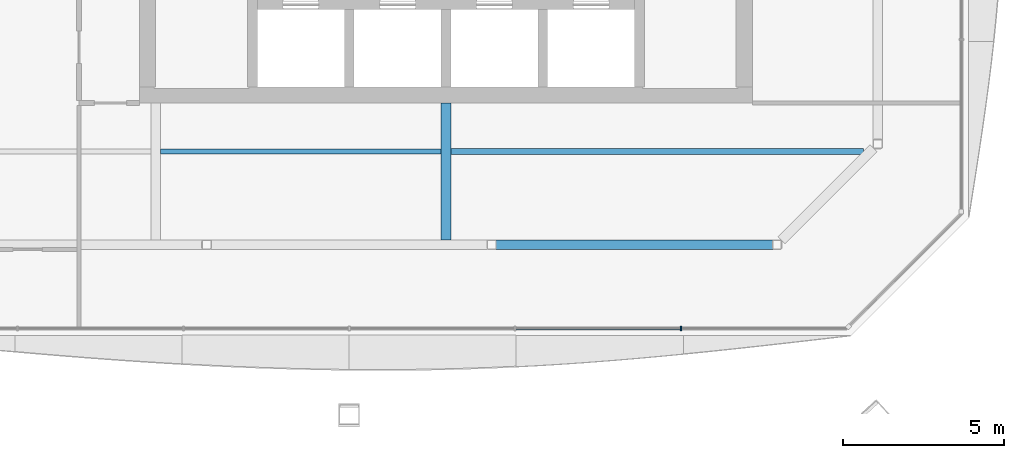
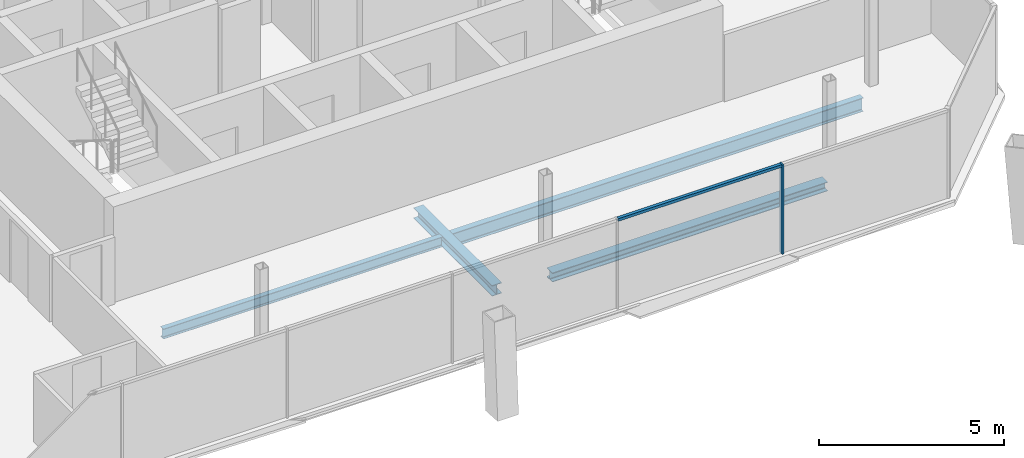
# One storey, part 5 of 18: 4 beams, 2 members, 1 element without a shape of its own.
"""IFC4 building model written with IfcOpenShell, lengths in metres."""

from ifc_helpers import new_model, si_unit, direction, frame, origin, origin_2d, place, context, subcontext, project, spatial, rectangle, i_section, extrude, material, material_profile, profile_set, type_object, element, aggregate, save


model = new_model("IFC4")

# Units and contexts
model_context = context("Model", 3, precision=1e-05, world=origin(), true_north=direction((0.0, 1.0)))
body_context = subcontext(model_context, "Body", "Model", "MODEL_VIEW")
ifc_project = project(units=[si_unit("LENGTHUNIT", "METRE"), si_unit("AREAUNIT", "SQUARE_METRE"), si_unit("VOLUMEUNIT", "CUBIC_METRE"), si_unit("PLANEANGLEUNIT", "RADIAN"), si_unit("MASSUNIT", "GRAM", prefix="KILO")], contexts=[model_context])

# Site, building, storey
site_placement = place(None, origin())
site = spatial("IfcSite", under=ifc_project, at=site_placement, CompositionType="ELEMENT")
building_placement = place(site_placement, origin())
building = spatial("IfcBuilding", under=site, at=building_placement, Name="Tskaro Facet Tower", CompositionType="ELEMENT")
storey_placement = place(building_placement, frame((0.0, 0.0, 223.5)))
storey = spatial("IfcBuildingStorey", under=building, at=storey_placement, Name="L57", CompositionType="ELEMENT", Elevation=223.5)

# Curtain wall, members
ifc_material_1 = material(Name="Bronze anodised aluminium 6063-T6", Category="aluminium")
curtain_wall_type = type_object("IfcCurtainWallType", Name="Bronze residence curtain wall (FW3)", PredefinedType="NOTDEFINED", material=ifc_material_1)
curtain_wall_placement = place(storey_placement, origin())
curtain_wall = element("IfcCurtainWall", 1, at=curtain_wall_placement, inside=storey, type_object=curtain_wall_type, Name="FW3 south facet L57", PredefinedType="NOTDEFINED")
ifc_material_profile_1 = material_profile(ifc_material_1, rectangle(XDim=0.050048828125, YDim=0.139892578125, at=origin_2d()), Name="Mullion 50x140")
ifc_profile_set_1 = profile_set([ifc_material_profile_1], Name="Bronze anodised aluminium 6063-T6")
member_type_1 = type_object("IfcMemberType", Name="FW3 bronze mullion 50x140", PredefinedType="MULLION", material=ifc_profile_set_1)
member_1_placement = place(storey_placement, frame((7.2900390625, -18.985107421875, 0.0), z_axis=(0.0, 0.0, 1.0), x_axis=(1.0, 0.0, 0.0)))
member_1 = element("IfcMember", 2, at=member_1_placement, type_object=member_type_1, Name="FW3 south mullion 5", PredefinedType="MULLION", context=body_context, shape_type="SweptSolid", body=[
    extrude(rectangle(XDim=0.050048828125, YDim=0.139892578125, at=origin_2d()), origin(), (0.0, 0.0, 1.0), 2.949951171875),
])
ifc_material_profile_2 = material_profile(ifc_material_1, rectangle(XDim=0.10009765625, YDim=0.090087890625, at=origin_2d()), Name="Transom 100x90")
ifc_profile_set_2 = profile_set([ifc_material_profile_2], Name="Bronze anodised aluminium 6063-T6")
member_type_2 = type_object("IfcMemberType", Name="FW3 bronze transom 100x90", PredefinedType="USERDEFINED", material=ifc_profile_set_2)
member_2_placement = place(storey_placement, frame((2.169921875, -18.985107421875, 2.905029296875), z_axis=(1.0, 0.0, 0.0), x_axis=(0.0, 1.0, 0.0)))
member_2 = element("IfcMember", 3, at=member_2_placement, type_object=member_type_2, Name="FW3 south transom 5.1", ObjectType="TRANSOM", PredefinedType="USERDEFINED", context=body_context, shape_type="SweptSolid", body=[
    extrude(rectangle(XDim=0.10009765625, YDim=0.090087890625, at=origin_2d()), origin(), (0.0, 0.0, 1.0), 5.094970703125),
])
aggregate(curtain_wall, [member_1, member_2])

# Beams
ifc_material_2 = material(Name="Steel S355J2", Category="steel")
ifc_material_profile_3 = material_profile(ifc_material_2, i_section(OverallWidth=0.300048828125, OverallDepth=0.300048828125, WebThickness=0.010986328125, FlangeThickness=0.01904296875, FilletRadius=0.027099609375, at=origin_2d()), Name="HE 300 B")
ifc_profile_set_3 = profile_set([ifc_material_profile_3], Name="Steel S355J2")
beam_type_1 = type_object("IfcBeamType", Name="HE 300 B ring beam", PredefinedType="BEAM", material=ifc_profile_set_3)
beam_1_placement = place(storey_placement, frame((1.552978515625, -16.39111328125, -0.2900390625), z_axis=(1.0, 0.0, 0.0), x_axis=(0.0, 1.0, 0.0)))
element("IfcBeam", 4, at=beam_1_placement, inside=storey, type_object=beam_type_1, Name="HE 300 B EB3-5", PredefinedType="BEAM", context=body_context, shape_type="SweptSolid", body=[
    extrude(i_section(OverallWidth=0.300048828125, OverallDepth=0.300048828125, WebThickness=0.010986328125, FlangeThickness=0.01904296875, FilletRadius=0.027099609375, at=origin_2d()), origin(), (0.0, 0.0, 1.0), 8.5849609375),
])
ifc_material_profile_4 = material_profile(ifc_material_2, i_section(OverallWidth=0.300048828125, OverallDepth=0.35009765625, WebThickness=0.010009765625, FlangeThickness=0.017578125, FilletRadius=0.027099609375, at=origin_2d()), Name="HE 360 A")
ifc_profile_set_4 = profile_set([ifc_material_profile_4], Name="Steel S355J2")
beam_type_2 = type_object("IfcBeamType", Name="HE 360 A girder", PredefinedType="BEAM", material=ifc_profile_set_4)
beam_2_placement = place(storey_placement, frame((0.0, -16.240966796875, -0.31494140625), z_axis=(0.0, 1.0, 0.0), x_axis=(-1.0, 0.0, 0.0)))
element("IfcBeam", 5, at=beam_2_placement, inside=storey, type_object=beam_type_2, Name="HE 360 A GB4-1-5", PredefinedType="BEAM", context=body_context, shape_type="SweptSolid", body=[
    extrude(i_section(OverallWidth=0.300048828125, OverallDepth=0.35009765625, WebThickness=0.010009765625, FlangeThickness=0.017578125, FilletRadius=0.027099609375, at=origin_2d()), origin(), (0.0, 0.0, 1.0), 4.240966796875),
])
ifc_material_profile_5 = material_profile(ifc_material_2, i_section(OverallWidth=0.159912109375, OverallDepth=0.330078125, WebThickness=0.007568359375, FlangeThickness=0.011474609375, FilletRadius=0.01806640625, at=origin_2d()), Name="IPE 330")
ifc_profile_set_5 = profile_set([ifc_material_profile_5], Name="Steel S355J2")
beam_type_3 = type_object("IfcBeamType", Name="IPE 330 secondary beam", PredefinedType="BEAM", material=ifc_profile_set_5)
beam_3_placement = place(storey_placement, frame((-8.85009765625, -13.5, -0.304931640625), z_axis=(1.0, 0.0, 0.0), x_axis=(0.0, 1.0, 0.0)))
element("IfcBeam", 6, at=beam_3_placement, inside=storey, type_object=beam_type_3, Name="IPE 330 SB2a-2-5", PredefinedType="BEAM", context=body_context, shape_type="SweptSolid", body=[
    extrude(i_section(OverallWidth=0.159912109375, OverallDepth=0.330078125, WebThickness=0.007568359375, FlangeThickness=0.011474609375, FilletRadius=0.01806640625, at=origin_2d()), origin(), (0.0, 0.0, 1.0), 8.7001953125),
])
ifc_material_profile_6 = material_profile(ifc_material_2, i_section(OverallWidth=0.18994140625, OverallDepth=0.449951171875, WebThickness=0.009521484375, FlangeThickness=0.0146484375, FilletRadius=0.02099609375, at=origin_2d()), Name="IPE 450")
ifc_profile_set_6 = profile_set([ifc_material_profile_6], Name="Steel S355J2")
beam_type_4 = type_object("IfcBeamType", Name="IPE 450 long secondary beam", PredefinedType="BEAM", material=ifc_profile_set_6)
beam_4_placement = place(storey_placement, frame((0.14990234375, -13.5, -0.364990234375), z_axis=(1.0, 0.0, 0.0), x_axis=(0.0, 1.0, 0.0)))
element("IfcBeam", 7, at=beam_4_placement, inside=storey, type_object=beam_type_4, Name="IPE 450 LSB2a-3-5", PredefinedType="BEAM", context=body_context, shape_type="SweptSolid", body=[
    extrude(i_section(OverallWidth=0.18994140625, OverallDepth=0.449951171875, WebThickness=0.009521484375, FlangeThickness=0.0146484375, FilletRadius=0.02099609375, at=origin_2d()), origin(), (0.0, 0.0, 1.0), 12.797119140625),
])

save(model, "model.ifc")
